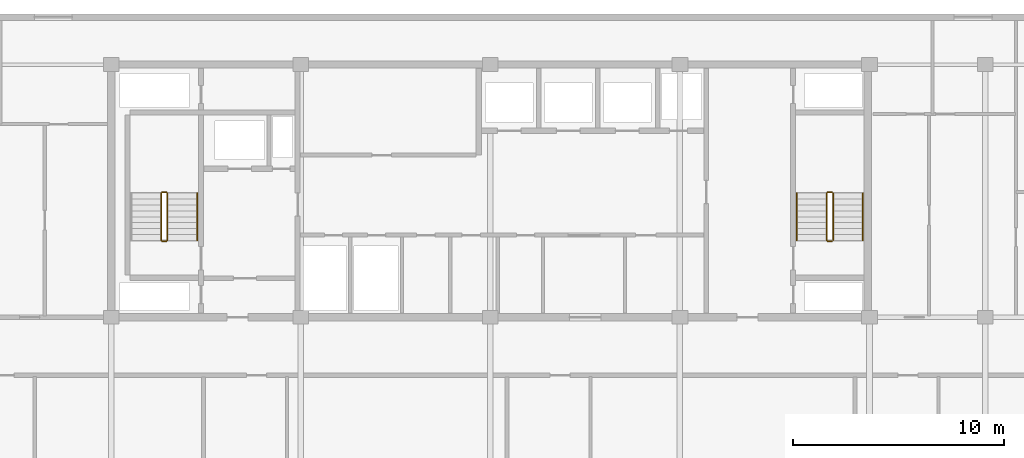
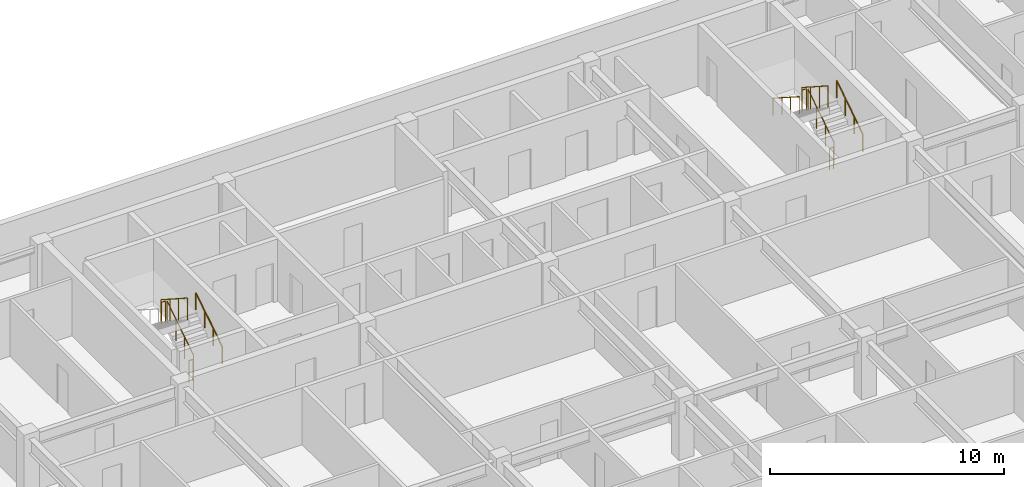
# One storey, part 18 of 21: 11 railings.
"""IFC4 building model written with IfcOpenShell, lengths in metres."""

from ifc_helpers import new_model, si_unit, direction, frame, origin, origin_2d, place, context, subcontext, project, spatial, circle, extrude, material, type_object, element, save


model = new_model("IFC4")

# Units and contexts
model_context = context("Model", 3, precision=1e-05, world=origin(), true_north=direction((0.0, 1.0)))
body_context = subcontext(model_context, "Body", "Model", "MODEL_VIEW")
ifc_project = project(units=[si_unit("LENGTHUNIT", "METRE"), si_unit("AREAUNIT", "SQUARE_METRE"), si_unit("VOLUMEUNIT", "CUBIC_METRE"), si_unit("PLANEANGLEUNIT", "RADIAN"), si_unit("MASSUNIT", "GRAM", prefix="KILO")], contexts=[model_context])

# Site, building, storey
site_placement = place(None, origin())
site = spatial("IfcSite", under=ifc_project, at=site_placement, CompositionType="ELEMENT")
building_placement = place(site_placement, origin())
building = spatial("IfcBuilding", under=site, at=building_placement, Name="Korimba Cascade Residences", CompositionType="ELEMENT")
storey_placement = place(building_placement, frame((0.0, 0.0, 188.10009765625)))
storey = spatial("IfcBuildingStorey", under=building, at=storey_placement, Name="L54", CompositionType="ELEMENT", Elevation=188.10009765625)

# Railings
ifc_material_1 = material(Name="Painted Steel Stairwell Guardrail", Category="steel")
railing_type_1 = type_object("IfcRailingType", Name="RLG-ST-GD1150", PredefinedType="GUARDRAIL", material=ifc_material_1)
railing_1_placement = place(storey_placement, frame((84.77001953125, 22.050048828125, 0.180419921875)))
element("IfcRailing", 1, at=railing_1_placement, inside=storey, type_object=railing_type_1, Name="L54 ST-E1 stair guard 1", PredefinedType="GUARDRAIL", context=body_context, shape_type="SweptSolid", body=[
    extrude(circle(Radius=0.02392578125, at=origin_2d()), frame((0.0, 0.0, 1.1259765625), z_axis=(0.0, 0.840394893359, 0.541974559565), x_axis=(-1.0, 0.0, 0.0)), (0.0, 0.0, 1.0), 2.665283203125),
    extrude(circle(Radius=0.02099609375, at=origin_2d()), origin(), (0.0, 0.0, 1.0), 1.101806640625),
    extrude(circle(Radius=0.02099609375, at=origin_2d()), frame((0.0, 0.74658203125, 0.4814453125)), (0.0, 0.0, 1.0), 1.101806640625),
    extrude(circle(Radius=0.02099609375, at=origin_2d()), frame((0.0, 1.493408203125, 0.963134765625)), (0.0, 0.0, 1.0), 1.101806640625),
    extrude(circle(Radius=0.02099609375, at=origin_2d()), frame((0.0, 2.239990234375, 1.444580078125)), (0.0, 0.0, 1.0), 1.101806640625),
])
railing_2_placement = place(storey_placement, frame((84.719970703125, 24.340087890625, 1.625)))
element("IfcRailing", 2, at=railing_2_placement, inside=storey, type_object=railing_type_1, Name="L54 ST-E1 stair guard 2", PredefinedType="GUARDRAIL", context=body_context, shape_type="SweptSolid", body=[
    extrude(circle(Radius=0.02392578125, at=origin_2d()), frame((0.0, 0.0, 1.1259765625), z_axis=(-1.0, 0.0, 0.0), x_axis=(0.0, -1.0, 0.0)), (0.0, 0.0, 1.0), 0.199951171875),
    extrude(circle(Radius=0.02099609375, at=origin_2d()), origin(), (0.0, 0.0, 1.0), 1.101806640625),
    extrude(circle(Radius=0.02099609375, at=origin_2d()), frame((-0.199951171875, 0.0, 0.0)), (0.0, 0.0, 1.0), 1.101806640625),
])
railing_3_placement = place(storey_placement, frame((84.469970703125, 24.2900390625, 1.805419921875)))
element("IfcRailing", 3, at=railing_3_placement, inside=storey, type_object=railing_type_1, Name="L54 ST-E1 stair guard 3", PredefinedType="GUARDRAIL", context=body_context, shape_type="SweptSolid", body=[
    extrude(circle(Radius=0.02392578125, at=origin_2d()), frame((0.0, 0.0, 1.1259765625), z_axis=(0.0, -0.840394893359, 0.541974559565), x_axis=(1.0, 0.0, 0.0)), (0.0, 0.0, 1.0), 2.665283203125),
    extrude(circle(Radius=0.02099609375, at=origin_2d()), origin(), (0.0, 0.0, 1.0), 1.101806640625),
    extrude(circle(Radius=0.02099609375, at=origin_2d()), frame((0.0, -0.74658203125, 0.4814453125)), (0.0, 0.0, 1.0), 1.101806640625),
    extrude(circle(Radius=0.02099609375, at=origin_2d()), frame((0.0, -1.493408203125, 0.963134765625)), (0.0, 0.0, 1.0), 1.101806640625),
    extrude(circle(Radius=0.02099609375, at=origin_2d()), frame((0.0, -2.239990234375, 1.444580078125)), (0.0, 0.0, 1.0), 1.101806640625),
])
railing_4_placement = place(storey_placement, frame((84.719970703125, 22.0, 0.0)))
element("IfcRailing", 4, at=railing_4_placement, inside=storey, type_object=railing_type_1, Name="L54 ST-E1 stair guard 4", PredefinedType="GUARDRAIL", context=body_context, shape_type="SweptSolid", body=[
    extrude(circle(Radius=0.02392578125, at=origin_2d()), frame((0.0, 0.0, 1.1259765625), z_axis=(-1.0, 0.0, 0.0), x_axis=(0.0, -1.0, 0.0)), (0.0, 0.0, 1.0), 0.199951171875),
    extrude(circle(Radius=0.02099609375, at=origin_2d()), origin(), (0.0, 0.0, 1.0), 1.101806640625),
    extrude(circle(Radius=0.02099609375, at=origin_2d()), frame((-0.199951171875, 0.0, 0.0)), (0.0, 0.0, 1.0), 1.101806640625),
])
railing_5_placement = place(storey_placement, frame((116.3701171875, 22.050048828125, 0.180419921875)))
element("IfcRailing", 5, at=railing_5_placement, inside=storey, type_object=railing_type_1, Name="L54 ST-E2 stair guard 1", PredefinedType="GUARDRAIL", context=body_context, shape_type="SweptSolid", body=[
    extrude(circle(Radius=0.02392578125, at=origin_2d()), frame((0.0, 0.0, 1.1259765625), z_axis=(0.0, 0.840394893359, 0.541974559565), x_axis=(-1.0, 0.0, 0.0)), (0.0, 0.0, 1.0), 2.665283203125),
    extrude(circle(Radius=0.02099609375, at=origin_2d()), origin(), (0.0, 0.0, 1.0), 1.101806640625),
    extrude(circle(Radius=0.02099609375, at=origin_2d()), frame((0.0, 0.74658203125, 0.4814453125)), (0.0, 0.0, 1.0), 1.101806640625),
    extrude(circle(Radius=0.02099609375, at=origin_2d()), frame((0.0, 1.493408203125, 0.963134765625)), (0.0, 0.0, 1.0), 1.101806640625),
    extrude(circle(Radius=0.02099609375, at=origin_2d()), frame((0.0, 2.239990234375, 1.444580078125)), (0.0, 0.0, 1.0), 1.101806640625),
])
railing_6_placement = place(storey_placement, frame((116.320068359375, 24.340087890625, 1.625)))
element("IfcRailing", 6, at=railing_6_placement, inside=storey, type_object=railing_type_1, Name="L54 ST-E2 stair guard 2", PredefinedType="GUARDRAIL", context=body_context, shape_type="SweptSolid", body=[
    extrude(circle(Radius=0.02392578125, at=origin_2d()), frame((0.0, 0.0, 1.1259765625), z_axis=(-1.0, 0.0, 0.0), x_axis=(0.0, -1.0, 0.0)), (0.0, 0.0, 1.0), 0.199951171875),
    extrude(circle(Radius=0.02099609375, at=origin_2d()), origin(), (0.0, 0.0, 1.0), 1.101806640625),
    extrude(circle(Radius=0.02099609375, at=origin_2d()), frame((-0.199951171875, 0.0, 0.0)), (0.0, 0.0, 1.0), 1.101806640625),
])
railing_7_placement = place(storey_placement, frame((116.070068359375, 24.2900390625, 1.805419921875)))
element("IfcRailing", 7, at=railing_7_placement, inside=storey, type_object=railing_type_1, Name="L54 ST-E2 stair guard 3", PredefinedType="GUARDRAIL", context=body_context, shape_type="SweptSolid", body=[
    extrude(circle(Radius=0.02392578125, at=origin_2d()), frame((0.0, 0.0, 1.1259765625), z_axis=(0.0, -0.840394893359, 0.541974559565), x_axis=(1.0, 0.0, 0.0)), (0.0, 0.0, 1.0), 2.665283203125),
    extrude(circle(Radius=0.02099609375, at=origin_2d()), origin(), (0.0, 0.0, 1.0), 1.101806640625),
    extrude(circle(Radius=0.02099609375, at=origin_2d()), frame((0.0, -0.74658203125, 0.4814453125)), (0.0, 0.0, 1.0), 1.101806640625),
    extrude(circle(Radius=0.02099609375, at=origin_2d()), frame((0.0, -1.493408203125, 0.963134765625)), (0.0, 0.0, 1.0), 1.101806640625),
    extrude(circle(Radius=0.02099609375, at=origin_2d()), frame((0.0, -2.239990234375, 1.444580078125)), (0.0, 0.0, 1.0), 1.101806640625),
])
railing_8_placement = place(storey_placement, frame((116.320068359375, 22.0, 0.0)))
element("IfcRailing", 8, at=railing_8_placement, inside=storey, type_object=railing_type_1, Name="L54 ST-E2 stair guard 4", PredefinedType="GUARDRAIL", context=body_context, shape_type="SweptSolid", body=[
    extrude(circle(Radius=0.02392578125, at=origin_2d()), frame((0.0, 0.0, 1.1259765625), z_axis=(-1.0, 0.0, 0.0), x_axis=(0.0, -1.0, 0.0)), (0.0, 0.0, 1.0), 0.199951171875),
    extrude(circle(Radius=0.02099609375, at=origin_2d()), origin(), (0.0, 0.0, 1.0), 1.101806640625),
    extrude(circle(Radius=0.02099609375, at=origin_2d()), frame((-0.199951171875, 0.0, 0.0)), (0.0, 0.0, 1.0), 1.101806640625),
])
ifc_material_2 = material(Name="Brushed Stainless Steel Handrail", Category="steel")
railing_type_2 = type_object("IfcRailingType", Name="RLG-ST-HR900", PredefinedType="HANDRAIL", material=ifc_material_2)
for number, where, name in (
    (9, (86.18994140625, 22.050048828125, 0.36474609375), "L54 ST-E1 stair handrail 1"),
    (10, (117.7900390625, 22.050048828125, 0.36474609375), "L54 ST-E2 stair handrail 1"),
):
    element("IfcRailing", number, at=place(storey_placement, frame(where)), inside=storey, type_object=railing_type_2, Name=name, PredefinedType="HANDRAIL", context=body_context, shape_type="SweptSolid", body=[
        extrude(circle(Radius=0.02392578125, at=origin_2d()), frame((0.0, 0.0, 0.8759765625), z_axis=(0.0, 0.840394893359, 0.541974559565), x_axis=(-1.0, 0.0, 0.0)), (0.0, 0.0, 1.0), 2.665283203125),
        extrude(circle(Radius=0.02099609375, at=origin_2d()), origin(), (0.0, 0.0, 1.0), 0.851806640625),
        extrude(circle(Radius=0.02099609375, at=origin_2d()), frame((0.0, 0.74658203125, 0.4814453125)), (0.0, 0.0, 1.0), 0.851806640625),
        extrude(circle(Radius=0.02099609375, at=origin_2d()), frame((0.0, 1.493408203125, 0.963134765625)), (0.0, 0.0, 1.0), 0.851806640625),
        extrude(circle(Radius=0.02099609375, at=origin_2d()), frame((0.0, 2.239990234375, 1.444580078125)), (0.0, 0.0, 1.0), 0.851806640625),
    ])
railing_9_placement = place(storey_placement, frame((114.64990234375, 24.2900390625, 1.98974609375)))
element("IfcRailing", 11, at=railing_9_placement, inside=storey, type_object=railing_type_2, Name="L54 ST-E2 stair handrail 2", PredefinedType="HANDRAIL", context=body_context, shape_type="SweptSolid", body=[
    extrude(circle(Radius=0.02392578125, at=origin_2d()), frame((0.0, 0.0, 0.8759765625), z_axis=(0.0, -0.840394893359, 0.541974559565), x_axis=(1.0, 0.0, 0.0)), (0.0, 0.0, 1.0), 2.665283203125),
    extrude(circle(Radius=0.02099609375, at=origin_2d()), origin(), (0.0, 0.0, 1.0), 0.851806640625),
    extrude(circle(Radius=0.02099609375, at=origin_2d()), frame((0.0, -0.74658203125, 0.4814453125)), (0.0, 0.0, 1.0), 0.851806640625),
    extrude(circle(Radius=0.02099609375, at=origin_2d()), frame((0.0, -1.493408203125, 0.963134765625)), (0.0, 0.0, 1.0), 0.851806640625),
    extrude(circle(Radius=0.02099609375, at=origin_2d()), frame((0.0, -2.239990234375, 1.444580078125)), (0.0, 0.0, 1.0), 0.851806640625),
])

save(model, "model.ifc")
